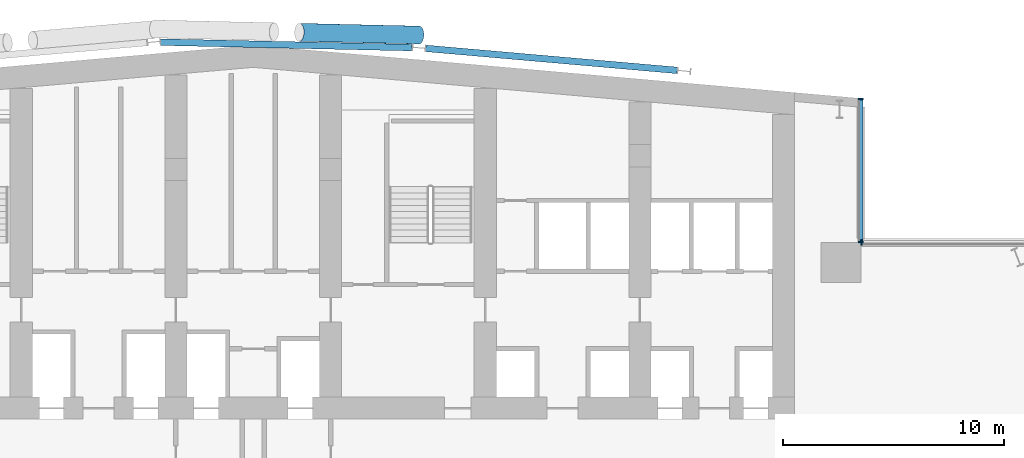
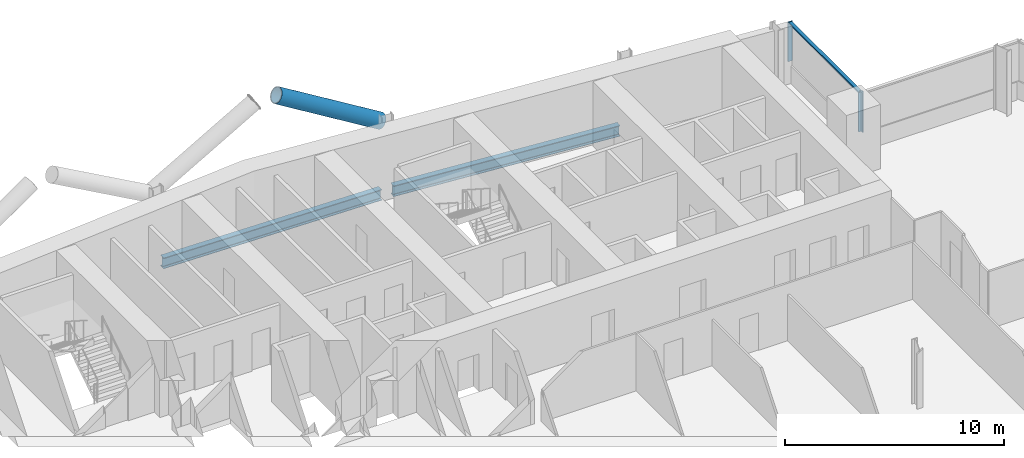
# One storey, part 9 of 25: 5 members, 2 beams, 2 elements without a shape of their own.
"""IFC4 building model written with IfcOpenShell, lengths in metres."""

from ifc_helpers import new_model, si_unit, direction, frame, origin, origin_2d, place, context, subcontext, project, spatial, rectangle, hollow_circle, i_section, extrude, material, material_profile, profile_set, type_object, element, aggregate, save


model = new_model("IFC4")

# Units and contexts
model_context = context("Model", 3, precision=1e-05, world=origin(), true_north=direction((0.0, 1.0)))
body_context = subcontext(model_context, "Body", "Model", "MODEL_VIEW")
ifc_project = project(units=[si_unit("LENGTHUNIT", "METRE"), si_unit("AREAUNIT", "SQUARE_METRE"), si_unit("VOLUMEUNIT", "CUBIC_METRE"), si_unit("PLANEANGLEUNIT", "RADIAN"), si_unit("MASSUNIT", "GRAM", prefix="KILO")], contexts=[model_context])

# Site, building, storey
site_placement = place(None, origin())
site = spatial("IfcSite", under=ifc_project, at=site_placement, CompositionType="ELEMENT")
building_placement = place(site_placement, origin())
building = spatial("IfcBuilding", under=site, at=building_placement, Name="Wharfspan Tower", CompositionType="ELEMENT")
storey_placement = place(building_placement, frame((0.0, 0.0, 129.100098)))
storey = spatial("IfcBuildingStorey", under=building, at=storey_placement, Name="L30", CompositionType="ELEMENT", Elevation=129.100098)

# Beams
ifc_material_1 = material(Name="Steel S355J2", Category="steel")
ifc_material_profile_1 = material_profile(ifc_material_1, i_section(OverallWidth=0.300049, OverallDepth=0.600098, WebThickness=0.015381, FlangeThickness=0.030029, FilletRadius=0.0271, at=origin_2d()))
ifc_profile_set_1 = profile_set([ifc_material_profile_1], Name="Steel S355J2")
beam_type = type_object("IfcBeamType", Name="Edge beam HEB 600", PredefinedType="SPANDREL", material=ifc_profile_set_1)
beam_1_placement = place(storey_placement, frame((59.695068, 49.791504, -0.700195), z_axis=(-0.996194, 0.087162, 0.0), x_axis=(-0.087162, -0.996194, 0.0)))
element("IfcBeam", 1, at=beam_1_placement, inside=storey, type_object=beam_type, Name="Edge beam N2 L30 R.4 to R.3", PredefinedType="SPANDREL", context=body_context, shape_type="SweptSolid", body=[
    extrude(i_section(OverallWidth=0.300049, OverallDepth=0.600098, WebThickness=0.015381, FlangeThickness=0.030029, FilletRadius=0.0271, at=origin_2d()), origin(), (0.0, 0.0, 1.0), 11.433594),
])
beam_2_placement = place(storey_placement, frame((36.307861, 51.070557, -0.700195), z_axis=(0.99976, -0.021888, 0.0), x_axis=(0.021888, 0.99976, 0.0)))
element("IfcBeam", 2, at=beam_2_placement, inside=storey, type_object=beam_type, Name="Edge beam L30 R.2 to R.3", PredefinedType="SPANDREL", context=body_context, shape_type="SweptSolid", body=[
    extrude(i_section(OverallWidth=0.300049, OverallDepth=0.600098, WebThickness=0.015381, FlangeThickness=0.030029, FilletRadius=0.0271, at=origin_2d()), origin(), (0.0, 0.0, 1.0), 11.388184),
])

# Curtain wall, member
ifc_material_2 = material(Name="Aluminium 6063-T6", Category="aluminium")
curtain_wall_type = type_object("IfcCurtainWallType", Name="CURTAIN WALL PROW AND END", PredefinedType="NOTDEFINED", material=ifc_material_2)
curtain_wall_1_placement = place(storey_placement, origin())
curtain_wall_1 = element("IfcCurtainWall", 3, at=curtain_wall_1_placement, inside=storey, type_object=curtain_wall_type, Name="Curtain wall NRE-H", PredefinedType="NOTDEFINED")
ifc_material_profile_2 = material_profile(ifc_material_2, rectangle(XDim=0.23999, YDim=0.060059, at=origin_2d()))
ifc_profile_set_2 = profile_set([ifc_material_profile_2], Name="Aluminium 6063-T6")
member_type_1 = type_object("IfcMemberType", Name="MULLION PROW AND END 60x240", PredefinedType="MULLION", material=ifc_profile_set_2)
member_1_placement = place(storey_placement, frame((68.030029, 42.0, 1.0), z_axis=(0.0, 0.0, 1.0), x_axis=(0.0, -1.0, 0.0)))
member_1 = element("IfcMember", 4, at=member_1_placement, type_object=member_type_1, Name="Curtain wall NRE-H mullion 2", PredefinedType="MULLION", context=body_context, shape_type="SweptSolid", body=[
    extrude(rectangle(XDim=0.23999, YDim=0.060059, at=origin_2d()), origin(), (0.0, 0.0, 1.0), 2.199951),
])
aggregate(curtain_wall_1, [member_1])

# Curtain wall, members
curtain_wall_2_placement = place(storey_placement, origin())
curtain_wall_2 = element("IfcCurtainWall", 5, at=curtain_wall_2_placement, inside=storey, type_object=curtain_wall_type, Name="Curtain wall NRE-V", PredefinedType="NOTDEFINED")
member_2_placement = place(storey_placement, frame((68.0, 42.030029, 1.0), z_axis=(0.0, 0.0, 1.0), x_axis=(-1.0, 0.0, 0.0)))
member_2 = element("IfcMember", 6, at=member_2_placement, type_object=member_type_1, Name="Curtain wall NRE-V mullion 1", PredefinedType="MULLION", context=body_context, shape_type="SweptSolid", body=[
    extrude(rectangle(XDim=0.23999, YDim=0.060059, at=origin_2d()), origin(), (0.0, 0.0, 1.0), 2.199951),
])
member_3_placement = place(storey_placement, frame((68.0, 48.494873, 1.0), z_axis=(0.0, 0.0, 1.0), x_axis=(-1.0, 0.0, 0.0)))
member_3 = element("IfcMember", 7, at=member_3_placement, type_object=member_type_1, Name="Curtain wall NRE-V mullion 2", PredefinedType="MULLION", context=body_context, shape_type="SweptSolid", body=[
    extrude(rectangle(XDim=0.23999, YDim=0.060059, at=origin_2d()), origin(), (0.0, 0.0, 1.0), 2.199951),
])

# Member
ifc_material_3 = material(Name="Steel S460NH", Category="steel")
ifc_material_profile_3 = material_profile(ifc_material_3, hollow_circle(Radius=0.406494, WallThickness=0.040039, at=origin_2d()))
ifc_profile_set_3 = profile_set([ifc_material_profile_3], Name="Steel S460NH")
member_type_2 = type_object("IfcMemberType", Name="Mega brace CHS 813x40", PredefinedType="BRACE", material=ifc_profile_set_3)
member_4_placement = place(storey_placement, frame((48.012695, 51.390381, 2.899902), z_axis=(-0.857327, 0.019686, 0.514396), x_axis=(-0.022956, -0.999736, 0.0)))
element("IfcMember", 8, at=member_4_placement, inside=storey, type_object=member_type_2, Name="Mega brace N7 L31 part 3", PredefinedType="BRACE", context=body_context, shape_type="SweptSolid", body=[
    extrude(hollow_circle(Radius=0.406494, WallThickness=0.040039, at=origin_2d()), origin(), (0.0, 0.0, 1.0), 6.324707),
])

ifc_material_profile_4 = material_profile(ifc_material_2, rectangle(XDim=0.179932, YDim=0.080078, at=origin_2d()))
ifc_profile_set_4 = profile_set([ifc_material_profile_4], Name="Aluminium 6063-T6")
member_type_3 = type_object("IfcMemberType", Name="TRANSOM PROW AND END 80x180", PredefinedType="USERDEFINED", material=ifc_profile_set_4)
member_5_placement = place(storey_placement, frame((68.0, 42.060059, 3.159912), z_axis=(0.0, 1.0, 0.0), x_axis=(-1.0, 0.0, 0.0)))
member_5 = element("IfcMember", 9, at=member_5_placement, type_object=member_type_3, Name="Curtain wall NRE-V transom 1", ObjectType="TRANSOM", PredefinedType="USERDEFINED", context=body_context, shape_type="SweptSolid", body=[
    extrude(rectangle(XDim=0.179932, YDim=0.080078, at=origin_2d()), origin(), (0.0, 0.0, 1.0), 6.404785),
])

aggregate(curtain_wall_2, [member_2, member_3, member_5])

save(model, "model.ifc")
